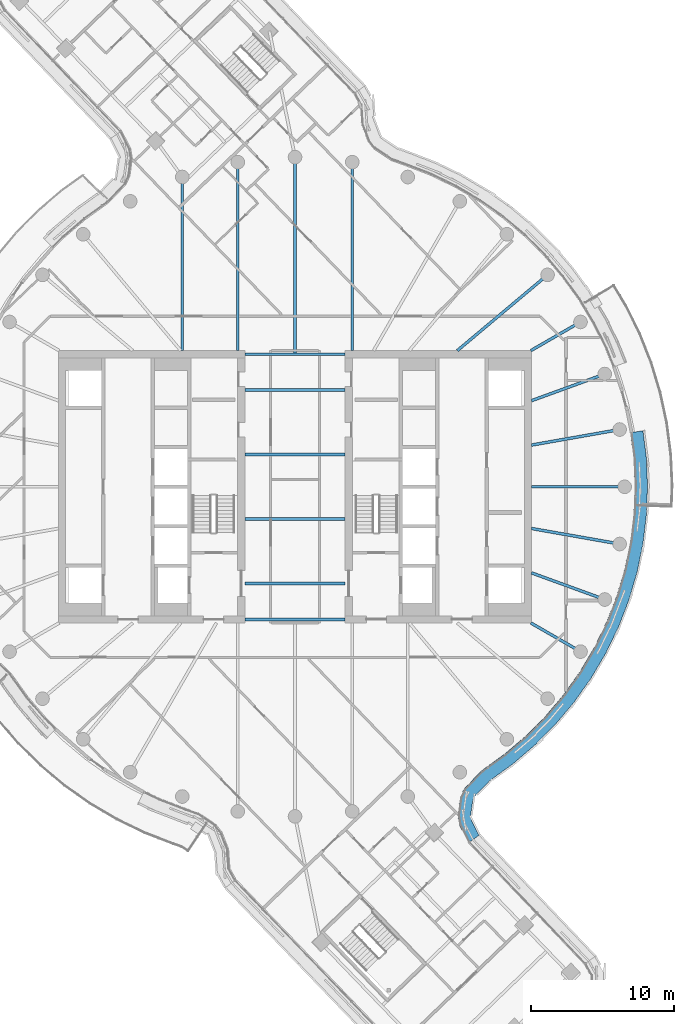
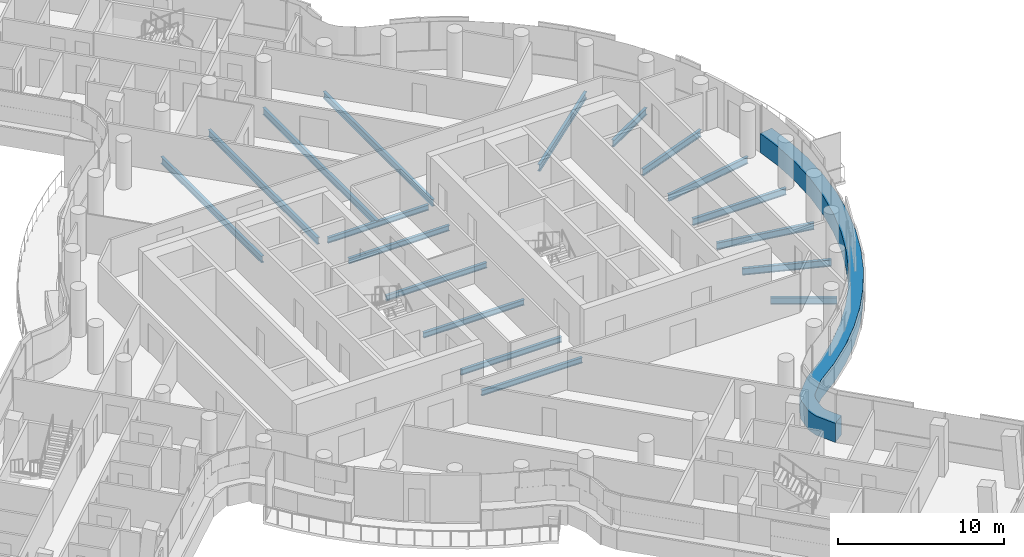
# One storey, part 12 of 34: 18 beams, 1 member, 1 element without a shape of its own.
"""IFC4 building model written with IfcOpenShell, lengths in metres."""

from ifc_helpers import new_model, si_unit, direction, frame, origin, origin_2d, place, context, subcontext, project, spatial, polyline, i_section, outline, extrude, material, layer, layer_set, material_profile, profile_set, type_object, element, aggregate, save


model = new_model("IFC4")

# Units and contexts
model_context = context("Model", 3, precision=1e-05, world=origin(), true_north=direction((0.0, 1.0)))
body_context = subcontext(model_context, "Body", "Model", "MODEL_VIEW")
ifc_project = project(units=[si_unit("LENGTHUNIT", "METRE"), si_unit("AREAUNIT", "SQUARE_METRE"), si_unit("VOLUMEUNIT", "CUBIC_METRE"), si_unit("PLANEANGLEUNIT", "RADIAN"), si_unit("MASSUNIT", "GRAM", prefix="KILO")], contexts=[model_context])

# Site, building, storey
site_placement = place(None, origin())
site = spatial("IfcSite", under=ifc_project, at=site_placement, CompositionType="ELEMENT")
building_placement = place(site_placement, origin())
building = spatial("IfcBuilding", under=site, at=building_placement, Name="Tamarind Cross Interchange Tower", CompositionType="ELEMENT")
storey_placement = place(building_placement, frame((0.0, 0.0, 193.300048828125)))
storey = spatial("IfcBuildingStorey", under=building, at=storey_placement, Name="L48", CompositionType="ELEMENT", Elevation=193.300048828125)

# Beams
ifc_material_1 = material(Name="Steel Q355B", Category="steel")
ifc_material_profile_1 = material_profile(ifc_material_1, i_section(OverallWidth=0.199951171875, OverallDepth=0.39990234375, WebThickness=0.008056640625, FlangeThickness=0.012939453125, FilletRadius=0.01611328125, at=origin_2d()), Name="HN 400x200x8x13")
ifc_profile_set_1 = profile_set([ifc_material_profile_1], Name="Steel Q355B")
beam_type_1 = type_object("IfcBeamType", Name="Composite beam HN 400x200x8x13 Q355B", PredefinedType="BEAM", material=ifc_profile_set_1)
for number, where, z_axis, x_axis, name in (
    (1, (-3.5, -2.25, -0.340087890625), (1.0, 0.0, 0.0), (0.0, 1.0, 0.0), "Beam G-2.25"),
    (2, (-3.5, -6.75, -0.340087890625), (1.0, 0.0, 0.0), (0.0, 1.0, 0.0), "Beam G-6.75"),
    (3, (-3.5, -9.25, -0.340087890625), (1.0, 0.0, 0.0), (0.0, 1.0, 0.0), "Beam G-9.25"),
    (4, (-3.5, 2.25, -0.340087890625), (1.0, 0.0, 0.0), (0.0, 1.0, 0.0), "Beam G2.25"),
    (5, (-3.5, 6.75, -0.340087890625), (1.0, 0.0, 0.0), (0.0, 1.0, 0.0), "Beam G6.75"),
    (6, (-3.5, 9.25, -0.340087890625), (1.0, 0.0, 0.0), (0.0, 1.0, 0.0), "Beam G9.25"),
):
    element("IfcBeam", number, at=place(storey_placement, frame(where, z_axis=z_axis, x_axis=x_axis)), inside=storey, type_object=beam_type_1, Name=name, PredefinedType="BEAM", context=body_context, shape_type="SweptSolid", body=[
        extrude(i_section(OverallWidth=0.199951171875, OverallDepth=0.39990234375, WebThickness=0.008056640625, FlangeThickness=0.012939453125, FilletRadius=0.01611328125, at=origin_2d()), origin(), (0.0, 0.0, 1.0), 7.0),
    ])
ifc_material_profile_2 = material_profile(ifc_material_1, i_section(OverallWidth=0.198974609375, OverallDepth=0.49609375, WebThickness=0.009033203125, FlangeThickness=0.013916015625, FilletRadius=0.012939453125, at=origin_2d()), Name="HN 496x199x9x14")
ifc_profile_set_2 = profile_set([ifc_material_profile_2], Name="Steel Q355B")
beam_type_2 = type_object("IfcBeamType", Name="Composite beam HN 496x199x9x14 Q355B", PredefinedType="BEAM", material=ifc_profile_set_2)
beam_1_placement = place(storey_placement, frame((23.0, 0.0, -0.387939453125), z_axis=(-1.0, 0.0, 0.0), x_axis=(0.0, -1.0, 0.0)))
element("IfcBeam", 7, at=beam_1_placement, inside=storey, type_object=beam_type_2, Name="Beam HH00", PredefinedType="BEAM", context=body_context, shape_type="SweptSolid", body=[
    extrude(i_section(OverallWidth=0.198974609375, OverallDepth=0.49609375, WebThickness=0.009033203125, FlangeThickness=0.013916015625, FilletRadius=0.012939453125, at=origin_2d()), origin(), (0.0, 0.0, 1.0), 6.5),
])
beam_2_placement = place(storey_placement, frame((22.650634765625, 3.993896484375, -0.387939453125), z_axis=(-0.984809127561, -0.173640382036, 0.0), x_axis=(0.173640382036, -0.984809127561, 0.0)))
element("IfcBeam", 8, at=beam_2_placement, inside=storey, type_object=beam_type_2, Name="Beam HH01", PredefinedType="BEAM", context=body_context, shape_type="SweptSolid", body=[
    extrude(i_section(OverallWidth=0.198974609375, OverallDepth=0.49609375, WebThickness=0.009033203125, FlangeThickness=0.013916015625, FilletRadius=0.012939453125, at=origin_2d()), origin(), (0.0, 0.0, 1.0), 6.24560546875),
])
beam_3_placement = place(storey_placement, frame((21.613037109375, 7.866455078125, -0.387939453125), z_axis=(-0.939701685589, -0.341995236956, 0.0), x_axis=(0.341995236956, -0.939701685589, 0.0)))
element("IfcBeam", 9, at=beam_3_placement, inside=storey, type_object=beam_type_2, Name="Beam HH02", PredefinedType="BEAM", context=body_context, shape_type="SweptSolid", body=[
    extrude(i_section(OverallWidth=0.198974609375, OverallDepth=0.49609375, WebThickness=0.009033203125, FlangeThickness=0.013916015625, FilletRadius=0.012939453125, at=origin_2d()), origin(), (0.0, 0.0, 1.0), 5.441162109375),
])
beam_4_placement = place(storey_placement, frame((19.918701171875, 11.5, -0.387939453125), z_axis=(-0.866026010844, -0.49999894854, 0.0), x_axis=(0.49999894854, -0.866026010844, 0.0)))
element("IfcBeam", 10, at=beam_4_placement, inside=storey, type_object=beam_type_2, Name="Beam HH03", PredefinedType="BEAM", context=body_context, shape_type="SweptSolid", body=[
    extrude(i_section(OverallWidth=0.198974609375, OverallDepth=0.49609375, WebThickness=0.009033203125, FlangeThickness=0.013916015625, FilletRadius=0.012939453125, at=origin_2d()), origin(), (0.0, 0.0, 1.0), 4.0),
])
beam_5_placement = place(storey_placement, frame((17.619140625, 14.7841796875, -0.387939453125), z_axis=(-0.766040580814, -0.642792212574, 0.0), x_axis=(0.642792212574, -0.766040580814, 0.0)))
element("IfcBeam", 11, at=beam_5_placement, inside=storey, type_object=beam_type_2, Name="Beam HH04", PredefinedType="BEAM", context=body_context, shape_type="SweptSolid", body=[
    extrude(i_section(OverallWidth=0.198974609375, OverallDepth=0.49609375, WebThickness=0.009033203125, FlangeThickness=0.013916015625, FilletRadius=0.012939453125, at=origin_2d()), origin(), (0.0, 0.0, 1.0), 8.220703125),
])
beam_6_placement = place(storey_placement, frame((3.993896484375, 22.650634765625, -0.387939453125), z_axis=(0.0, -1.0, 0.0), x_axis=(1.0, 0.0, 0.0)))
element("IfcBeam", 12, at=beam_6_placement, inside=storey, type_object=beam_type_2, Name="Beam HH08", PredefinedType="BEAM", context=body_context, shape_type="SweptSolid", body=[
    extrude(i_section(OverallWidth=0.198974609375, OverallDepth=0.49609375, WebThickness=0.009033203125, FlangeThickness=0.013916015625, FilletRadius=0.012939453125, at=origin_2d()), origin(), (0.0, 0.0, 1.0), 13.150634765625),
])
beam_7_placement = place(storey_placement, frame((0.0, 23.0, -0.387939453125), z_axis=(0.0, -1.0, 0.0), x_axis=(1.0, 0.0, 0.0)))
element("IfcBeam", 13, at=beam_7_placement, inside=storey, type_object=beam_type_2, Name="Beam HH09", PredefinedType="BEAM", context=body_context, shape_type="SweptSolid", body=[
    extrude(i_section(OverallWidth=0.198974609375, OverallDepth=0.49609375, WebThickness=0.009033203125, FlangeThickness=0.013916015625, FilletRadius=0.012939453125, at=origin_2d()), origin(), (0.0, 0.0, 1.0), 13.75),
])
beam_8_placement = place(storey_placement, frame((-3.993896484375, 22.650634765625, -0.387939453125), z_axis=(0.0, -1.0, 0.0), x_axis=(1.0, 0.0, 0.0)))
element("IfcBeam", 14, at=beam_8_placement, inside=storey, type_object=beam_type_2, Name="Beam HH10", PredefinedType="BEAM", context=body_context, shape_type="SweptSolid", body=[
    extrude(i_section(OverallWidth=0.198974609375, OverallDepth=0.49609375, WebThickness=0.009033203125, FlangeThickness=0.013916015625, FilletRadius=0.012939453125, at=origin_2d()), origin(), (0.0, 0.0, 1.0), 13.150634765625),
])
beam_9_placement = place(storey_placement, frame((-7.866455078125, 21.613037109375, -0.387939453125), z_axis=(0.0, -1.0, 0.0), x_axis=(1.0, 0.0, 0.0)))
element("IfcBeam", 15, at=beam_9_placement, inside=storey, type_object=beam_type_2, Name="Beam HH11", PredefinedType="BEAM", context=body_context, shape_type="SweptSolid", body=[
    extrude(i_section(OverallWidth=0.198974609375, OverallDepth=0.49609375, WebThickness=0.009033203125, FlangeThickness=0.013916015625, FilletRadius=0.012939453125, at=origin_2d()), origin(), (0.0, 0.0, 1.0), 12.113037109375),
])
beam_10_placement = place(storey_placement, frame((19.918701171875, -11.5, -0.387939453125), z_axis=(-0.866026010844, 0.49999894854, 0.0), x_axis=(-0.49999894854, -0.866026010844, 0.0)))
element("IfcBeam", 16, at=beam_10_placement, inside=storey, type_object=beam_type_2, Name="Beam HH33", PredefinedType="BEAM", context=body_context, shape_type="SweptSolid", body=[
    extrude(i_section(OverallWidth=0.198974609375, OverallDepth=0.49609375, WebThickness=0.009033203125, FlangeThickness=0.013916015625, FilletRadius=0.012939453125, at=origin_2d()), origin(), (0.0, 0.0, 1.0), 4.0),
])
beam_11_placement = place(storey_placement, frame((21.613037109375, -7.866455078125, -0.387939453125), z_axis=(-0.939701685589, 0.341995236956, 0.0), x_axis=(-0.341995236956, -0.939701685589, 0.0)))
element("IfcBeam", 17, at=beam_11_placement, inside=storey, type_object=beam_type_2, Name="Beam HH34", PredefinedType="BEAM", context=body_context, shape_type="SweptSolid", body=[
    extrude(i_section(OverallWidth=0.198974609375, OverallDepth=0.49609375, WebThickness=0.009033203125, FlangeThickness=0.013916015625, FilletRadius=0.012939453125, at=origin_2d()), origin(), (0.0, 0.0, 1.0), 5.441162109375),
])
beam_12_placement = place(storey_placement, frame((22.650634765625, -3.993896484375, -0.387939453125), z_axis=(-0.984809127561, 0.173640382036, 0.0), x_axis=(-0.173640382036, -0.984809127561, 0.0)))
element("IfcBeam", 18, at=beam_12_placement, inside=storey, type_object=beam_type_2, Name="Beam HH35", PredefinedType="BEAM", context=body_context, shape_type="SweptSolid", body=[
    extrude(i_section(OverallWidth=0.198974609375, OverallDepth=0.49609375, WebThickness=0.009033203125, FlangeThickness=0.013916015625, FilletRadius=0.012939453125, at=origin_2d()), origin(), (0.0, 0.0, 1.0), 6.24560546875),
])

# Curtain wall, member
ifc_material_2 = material(Name="Aluminium 6063-T6", Category="aluminium")
ifc_layer = layer(ifc_material_2, 0.139892578125)
ifc_layer_set = layer_set([ifc_layer], Name="Aluminium 6063-T6")
curtain_wall_type = type_object("IfcCurtainWallType", Name="Hotel curtain wall, 4.5 m bays", PredefinedType="NOTDEFINED", material=ifc_layer_set)
curtain_wall_placement = place(storey_placement, origin())
curtain_wall = element("IfcCurtainWall", 19, at=curtain_wall_placement, inside=storey, type_object=curtain_wall_type, Name="CWS-L48-06", PredefinedType="NOTDEFINED")
ifc_material_3 = material(Name="Aluminium and insulated spandrel panel", Category="aluminium")
member_type = type_object("IfcMemberType", Name="Floor-edge blade transom", PredefinedType="USERDEFINED", material=ifc_material_3)
member_placement = place(storey_placement, origin())
member = element("IfcMember", 20, at=member_placement, type_object=member_type, Name="CWT-L48-06-0", ObjectType="TRANSOM", PredefinedType="USERDEFINED", context=body_context, shape_type="SweptSolid", body=[
    extrude(outline(polyline([(12.092529296875, -24.843994140625), (11.458984375, -23.584228515625), (11.3486328125, -22.925537109375), (11.516357421875, -21.677978515625), (11.799072265625, -21.0673828125), (13.013427734375, -19.804443359375), (14.634521484375, -18.636474609375), (16.12353515625, -17.3642578125), (17.50244140625, -15.973388671875), (18.76171875, -14.4736328125), (19.892822265625, -12.874755859375), (20.88818359375, -11.188232421875), (21.74072265625, -9.425048828125), (22.444580078125, -7.597412109375), (22.995361328125, -5.718017578125), (23.38916015625, -3.799560546875), (23.623046875, -1.855224609375), (23.695556640625, 0.10205078125), (23.606201171875, 2.058349609375), (23.38525390625, 3.77099609375), (24.274169921875, 3.914306640625), (24.50341796875, 2.13671875), (24.59619140625, 0.10595703125), (24.52099609375, -1.925537109375), (24.2783203125, -3.944091796875), (23.86962890625, -5.935302734375), (23.2978515625, -7.88623046875), (22.567138671875, -9.783203125), (21.68212890625, -11.613525390625), (20.64892578125, -13.3642578125), (19.474853515625, -15.023681640625), (18.167724609375, -16.580810546875), (16.736572265625, -18.0244140625), (15.19091796875, -19.344970703125), (13.605712890625, -20.487060546875), (12.552490234375, -21.58251953125), (12.39013671875, -21.932861328125), (12.258544921875, -22.910888671875), (12.32421875, -23.301513671875), (12.836181640625, -24.31982421875), (12.092529296875, -24.843994140625)])), origin(), (0.0, 0.0, 1.0), 1.39990234375),
])
aggregate(curtain_wall, [member])

save(model, "model.ifc")
